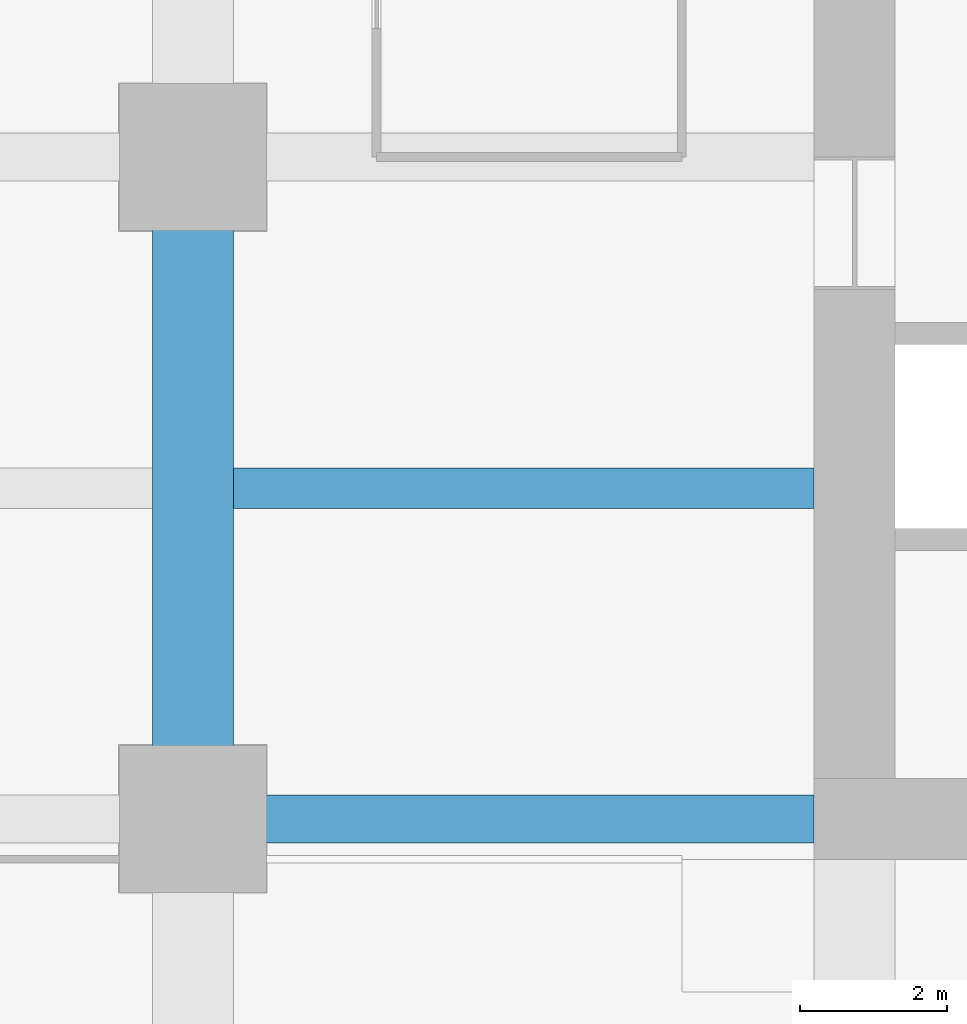
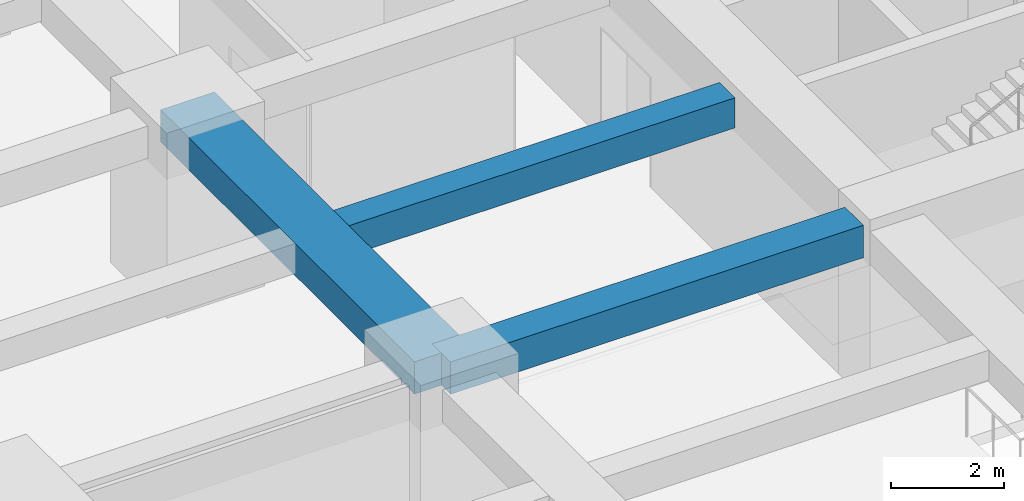
# One storey, part 10 of 39: 3 beams.
"""IFC4 building model written with IfcOpenShell, lengths in metres."""

from ifc_helpers import new_model, si_unit, direction, frame, origin, origin_2d, place, context, subcontext, project, spatial, rectangle, extrude, material, material_profile, profile_set, type_object, element, save


model = new_model("IFC4")

# Units and contexts
model_context = context("Model", 3, precision=1e-05, world=origin(), true_north=direction((0.0, 1.0)))
body_context = subcontext(model_context, "Body", "Model", "MODEL_VIEW")
ifc_project = project(units=[si_unit("LENGTHUNIT", "METRE"), si_unit("AREAUNIT", "SQUARE_METRE"), si_unit("VOLUMEUNIT", "CUBIC_METRE"), si_unit("PLANEANGLEUNIT", "RADIAN"), si_unit("MASSUNIT", "GRAM", prefix="KILO")], contexts=[model_context])

# Site, building, storey
site_placement = place(None, origin())
site = spatial("IfcSite", under=ifc_project, at=site_placement, CompositionType="ELEMENT")
building_placement = place(site_placement, origin())
building = spatial("IfcBuilding", under=site, at=building_placement, Name="Zorevar Civic Tower", CompositionType="ELEMENT")
storey_placement = place(building_placement, frame((0.0, 0.0, 121.0)))
storey = spatial("IfcBuildingStorey", under=building, at=storey_placement, Name="L29", CompositionType="ELEMENT", Elevation=121.0)

# Beams
ifc_material_1 = material(Name="Concrete C50/60", Category="concrete")
ifc_material_profile_1 = material_profile(ifc_material_1, rectangle(XDim=1.10009765625, YDim=0.699951171875, at=origin_2d()), Name="RC 1100x700")
ifc_profile_set_1 = profile_set([ifc_material_profile_1], Name="Concrete C50/60")
beam_type_1 = type_object("IfcBeamType", Name="Beam RC 1100x700", PredefinedType="BEAM", material=ifc_profile_set_1)
beam_1_placement = place(storey_placement, frame((9.0, 18.0, 3.39990234375), z_axis=(0.0, 1.0, 0.0), x_axis=(-1.0, 0.0, 0.0)))
element("IfcBeam", 1, at=beam_1_placement, inside=storey, type_object=beam_type_1, Name="Girder L30", PredefinedType="BEAM", context=body_context, shape_type="SweptSolid", body=[
    extrude(rectangle(XDim=1.10009765625, YDim=0.699951171875, at=origin_2d()), origin(), (0.0, 0.0, 1.0), 9.0),
])
ifc_material_2 = material(Name="Concrete C50/60", Category="concrete")
ifc_material_profile_2 = material_profile(ifc_material_2, rectangle(XDim=0.550048828125, YDim=0.64990234375, at=origin_2d()), Name="RC 550x650")
ifc_profile_set_2 = profile_set([ifc_material_profile_2], Name="Concrete C50/60")
beam_type_2 = type_object("IfcBeamType", Name="Beam RC 550x650", PredefinedType="BEAM", material=ifc_profile_set_2)
beam_2_placement = place(storey_placement, frame((9.550048828125, 22.5, 3.425048828125), z_axis=(1.0, 0.0, 0.0), x_axis=(0.0, 1.0, 0.0)))
element("IfcBeam", 2, at=beam_2_placement, inside=storey, type_object=beam_type_2, Name="Secondary beam L30", PredefinedType="BEAM", context=body_context, shape_type="SweptSolid", body=[
    extrude(rectangle(XDim=0.550048828125, YDim=0.64990234375, at=origin_2d()), origin(), (0.0, 0.0, 1.0), 7.89990234375),
])
ifc_material_3 = material(Name="Concrete C50/60", Category="concrete")
ifc_material_profile_3 = material_profile(ifc_material_3, rectangle(XDim=0.64990234375, YDim=0.699951171875, at=origin_2d()), Name="RC 650x700")
ifc_profile_set_3 = profile_set([ifc_material_profile_3], Name="Concrete C50/60")
beam_type_3 = type_object("IfcBeamType", Name="Beam RC 650x700", PredefinedType="BEAM", material=ifc_profile_set_3)
beam_3_placement = place(storey_placement, frame((9.0, 18.0, 3.39990234375), z_axis=(1.0, 0.0, 0.0), x_axis=(0.0, 1.0, 0.0)))
element("IfcBeam", 3, at=beam_3_placement, inside=storey, type_object=beam_type_3, Name="Girder L30", PredefinedType="BEAM", context=body_context, shape_type="SweptSolid", body=[
    extrude(rectangle(XDim=0.64990234375, YDim=0.699951171875, at=origin_2d()), origin(), (0.0, 0.0, 1.0), 8.449951171875),
])

save(model, "model.ifc")
